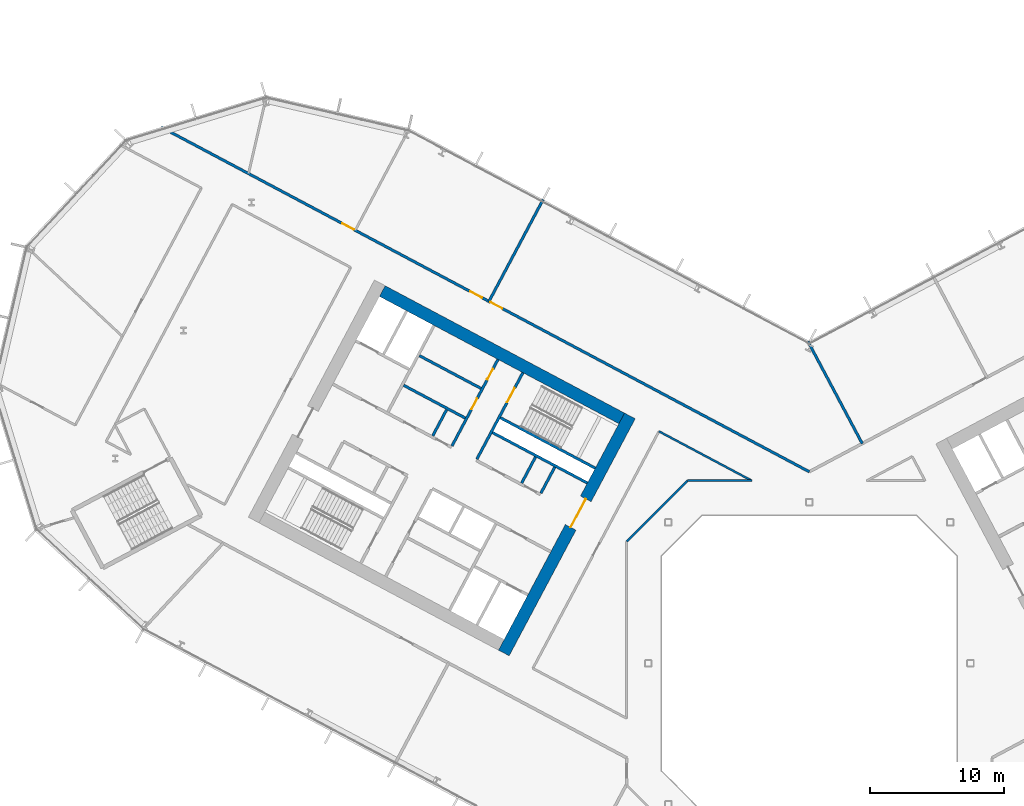
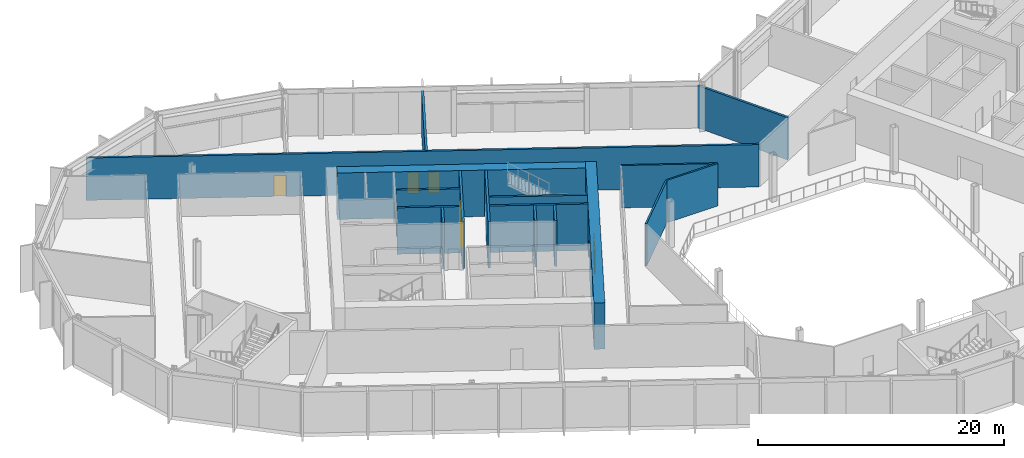
# One storey, part 16 of 31: 17 walls, 7 doors, 7 openings.
"""IFC4 building model written with IfcOpenShell, lengths in metres."""

from ifc_helpers import new_model, si_unit, direction, frame, frame_2d, origin, place, context, subcontext, project, spatial, rectangle, extrude, material, layer, layer_set, type_object, element, fill, save


model = new_model("IFC4")

# Units and contexts
model_context = context("Model", 3, precision=1e-05, world=origin(), true_north=direction((0.0, 1.0)))
body_context = subcontext(model_context, "Body", "Model", "MODEL_VIEW")
ifc_project = project(units=[si_unit("LENGTHUNIT", "METRE"), si_unit("AREAUNIT", "SQUARE_METRE"), si_unit("VOLUMEUNIT", "CUBIC_METRE"), si_unit("PLANEANGLEUNIT", "RADIAN"), si_unit("MASSUNIT", "GRAM", prefix="KILO")], contexts=[model_context])

# Site, building, storey
site_placement = place(None, origin())
site = spatial("IfcSite", under=ifc_project, at=site_placement, CompositionType="ELEMENT")
building_placement = place(site_placement, origin())
building = spatial("IfcBuilding", under=site, at=building_placement, Name="Cormorant Relay Tower", CompositionType="ELEMENT")
storey_placement = place(building_placement, frame((0.0, 0.0, 103.0)))
storey = spatial("IfcBuildingStorey", under=building, at=storey_placement, Name="L20", CompositionType="ELEMENT", Elevation=103.0)

# Walls
ifc_material_1 = material(Name="Concrete 40 MPa", Category="concrete")
ifc_layer_1 = layer(ifc_material_1, 0.199951171875)
ifc_layer_set_1 = layer_set([ifc_layer_1], Name="Core internal wall 200")
wall_type_1 = type_object("IfcWallType", Name="Core internal wall 200", PredefinedType="SOLIDWALL", material=ifc_layer_set_1)
for number, where, z_axis, x_axis, name in (
    (1, (-20.39013671875, 15.371826171875, 0.0), (0.0, 0.0, 1.0), (-0.4694473164, -0.882960484464, 0.0), "L20 core A shaft and room wall"),
    (2, (-27.01220703125, 18.892822265625, 0.0), (0.0, 0.0, 1.0), (-0.4694473164, -0.882960484464, 0.0), "L20 core A shaft and room wall"),
):
    element("IfcWall", number, at=place(storey_placement, frame(where, z_axis=z_axis, x_axis=x_axis)), inside=storey, type_object=wall_type_1, Name=name, PredefinedType="SOLIDWALL", context=body_context, shape_type="SweptSolid", body=[
        extrude(rectangle(XDim=2.199951171875, YDim=0.199951171875, at=frame_2d((1.10009765625, 0.0))), origin(), (0.0, 0.0, 1.0), 4.60009765625),
    ])
wall_1_placement = place(storey_placement, frame((-24.449462890625, 20.474853515625, 0.0), z_axis=(0.0, 0.0, 1.0), x_axis=(-0.882934506056, 0.469496174655, 0.0)))
element("IfcWall", 3, at=wall_1_placement, inside=storey, type_object=wall_type_1, Name="L20 core A shaft and room wall", PredefinedType="SOLIDWALL", context=body_context, shape_type="SweptSolid", body=[
    extrude(rectangle(XDim=5.199951171875, YDim=0.199951171875, at=frame_2d((2.60009765625, 0.0))), origin(), (0.0, 0.0, 1.0), 4.60009765625),
])
ifc_material_2 = material(Name="Concrete 50 MPa", Category="concrete")
ifc_layer_2 = layer(ifc_material_2, 0.199951171875)
ifc_layer_set_2 = layer_set([ifc_layer_2], Name="Core shaft wall 200")
wall_type_2 = type_object("IfcWallType", Name="Core shaft wall 200", PredefinedType="SHEAR", material=ifc_layer_set_2)
wall_2_placement = place(storey_placement, frame((-18.959716796875, 14.611328125, 0.0), z_axis=(0.0, 0.0, 1.0), x_axis=(-0.4694473164, -0.882960484464, 0.0)))
element("IfcWall", 4, at=wall_2_placement, inside=storey, type_object=wall_type_2, Name="L20 core A shaft wall", PredefinedType="SHEAR", context=body_context, shape_type="SweptSolid", body=[
    extrude(rectangle(XDim=2.199951171875, YDim=0.199951171875, at=frame_2d((1.10009765625, 0.0))), origin(), (0.0, 0.0, 1.0), 4.60009765625),
])

# Wall, opening, door
wall_3_placement = place(storey_placement, frame((-21.333251953125, 21.6494140625, 0.0), z_axis=(0.0, 0.0, 1.0), x_axis=(-0.469494272526, -0.882935517501, 0.0)))
wall_3 = element("IfcWall", 5, at=wall_3_placement, inside=storey, type_object=wall_type_2, Name="L20 core A shaft wall", PredefinedType="SHEAR", context=body_context, shape_type="SweptSolid", body=[
    extrude(rectangle(XDim=7.2998046875, YDim=0.199951171875, at=frame_2d((3.64990234375, 0.0))), origin(), (0.0, 0.0, 1.0), 4.60009765625),
])
opening_1_placement = place(wall_3_placement, frame((1.300048828125, 0.0, 0.0)))
opening_1 = element("IfcOpeningElement", 6, at=opening_1_placement, cuts=wall_3, Name="Opening CDB-024", PredefinedType="OPENING", context=body_context, shape_type="SweptSolid", body=[
    extrude(rectangle(XDim=1.199951171875, YDim=2.10009765625, at=frame_2d((0.60009765625, 1.050048828125))), frame((0.0, 0.10986328125, 0.0), z_axis=(0.0, -1.0, 0.0), x_axis=(1.0, 0.0, 0.0)), (0.0, 0.0, 1.0), 0.219970703125),
])
ifc_material_3 = material(Name="Steel fire door", Category="steel")
door_type_1 = type_object("IfcDoorType", Name="Core stair door 1200x2100", OperationType="SINGLE_SWING_LEFT", PredefinedType="DOOR", material=ifc_material_3)
door_1_placement = place(opening_1_placement, origin())
door_1 = element("IfcDoor", 7, at=door_1_placement, inside=storey, type_object=door_type_1, Name="Core stair door 1200x2100", OperationType="SINGLE_SWING_RIGHT", OverallHeight=2.10009765625, OverallWidth=1.199951171875, PredefinedType="DOOR", context=body_context, shape_type="SweptSolid", body=[
    extrude(rectangle(XDim=1.199951171875, YDim=2.10009765625, at=frame_2d((0.60009765625, 1.050048828125))), frame((0.0, 0.02490234375, 0.0), z_axis=(0.0, -1.0, 0.0), x_axis=(1.0, 0.0, 0.0)), (0.0, 0.0, 1.0), 0.050048828125),
])
fill(opening_1, door_1)

# Wall, openings, doors
wall_4_placement = place(storey_placement, frame((-23.1875, 22.635498046875, 0.0), z_axis=(0.0, 0.0, 1.0), x_axis=(-0.469454336211, -0.882956752176, 0.0)))
wall_4 = element("IfcWall", 8, at=wall_4_placement, inside=storey, type_object=wall_type_2, Name="L20 core A shaft wall", PredefinedType="SHEAR", context=body_context, shape_type="SweptSolid", body=[
    extrude(rectangle(XDim=7.300048828125, YDim=0.199951171875, at=frame_2d((3.64990234375, 0.0))), origin(), (0.0, 0.0, 1.0), 4.60009765625),
])
opening_2_placement = place(wall_4_placement, frame((0.800048828125, 0.0, 0.0)))
opening_2 = element("IfcOpeningElement", 9, at=opening_2_placement, cuts=wall_4, Name="Opening CDD-117", PredefinedType="OPENING", context=body_context, shape_type="SweptSolid", body=[
    extrude(rectangle(XDim=0.89990234375, YDim=2.10009765625, at=frame_2d((0.449951171875, 1.050048828125))), frame((0.0, 0.10986328125, 0.0), z_axis=(0.0, -1.0, 0.0), x_axis=(1.0, 0.0, 0.0)), (0.0, 0.0, 1.0), 0.219970703125),
])
opening_3_placement = place(wall_4_placement, frame((3.300048828125, 0.0, 0.0)))
opening_3 = element("IfcOpeningElement", 10, at=opening_3_placement, cuts=wall_4, Name="Opening CDD-140", PredefinedType="OPENING", context=body_context, shape_type="SweptSolid", body=[
    extrude(rectangle(XDim=0.89990234375, YDim=2.10009765625, at=frame_2d((0.449951171875, 1.050048828125))), frame((0.0, 0.10986328125, 0.0), z_axis=(0.0, -1.0, 0.0), x_axis=(1.0, 0.0, 0.0)), (0.0, 0.0, 1.0), 0.219970703125),
])
ifc_material_4 = material(Name="Steel fire door", Category="steel")
door_type_2 = type_object("IfcDoorType", Name="Core room door 900x2100", OperationType="SINGLE_SWING_LEFT", PredefinedType="DOOR", material=ifc_material_4)
door_2_placement = place(opening_2_placement, origin())
door_2 = element("IfcDoor", 11, at=door_2_placement, inside=storey, type_object=door_type_2, Name="Core room door 900x2100", OperationType="SINGLE_SWING_LEFT", OverallHeight=2.10009765625, OverallWidth=0.89990234375, PredefinedType="DOOR", context=body_context, shape_type="SweptSolid", body=[
    extrude(rectangle(XDim=0.89990234375, YDim=2.10009765625, at=frame_2d((0.449951171875, 1.050048828125))), frame((0.0, 0.02490234375, 0.0), z_axis=(0.0, -1.0, 0.0), x_axis=(1.0, 0.0, 0.0)), (0.0, 0.0, 1.0), 0.050048828125),
])
fill(opening_2, door_2)
door_3_placement = place(opening_3_placement, frame((0.89990234375, 0.0, 0.0), z_axis=(0.0, 0.0, 1.0), x_axis=(-1.0, 0.0, 0.0)))
door_3 = element("IfcDoor", 12, at=door_3_placement, inside=storey, type_object=door_type_2, Name="Core room door 900x2100", OperationType="SINGLE_SWING_RIGHT", OverallHeight=2.10009765625, OverallWidth=0.89990234375, PredefinedType="DOOR", context=body_context, shape_type="SweptSolid", body=[
    extrude(rectangle(XDim=0.89990234375, YDim=2.10009765625, at=frame_2d((0.449951171875, 1.050048828125))), frame((0.0, 0.02490234375, 0.0), z_axis=(0.0, -1.0, 0.0), x_axis=(1.0, 0.0, 0.0)), (0.0, 0.0, 1.0), 0.050048828125),
])
fill(opening_3, door_3)

# Walls
wall_5_placement = place(storey_placement, frame((-15.94189453125, 14.53564453125, 0.0), z_axis=(0.0, 0.0, 1.0), x_axis=(-0.882946947542, 0.469472776449, 0.0)))
element("IfcWall", 13, at=wall_5_placement, inside=storey, type_object=wall_type_2, Name="L20 core A shaft wall", PredefinedType="SHEAR", context=body_context, shape_type="SweptSolid", body=[
    extrude(rectangle(XDim=8.000244140625, YDim=0.199951171875, at=frame_2d((4.0, 0.0))), origin(), (0.0, 0.0, 1.0), 4.60009765625),
])
wall_6_placement = place(storey_placement, frame((-16.52880859375, 13.43212890625, 0.0), z_axis=(0.0, 0.0, 1.0), x_axis=(-0.88295287151, 0.469461634952, 0.0)))
element("IfcWall", 14, at=wall_6_placement, inside=storey, type_object=wall_type_2, Name="L20 core A shaft wall", PredefinedType="SHEAR", context=body_context, shape_type="SweptSolid", body=[
    extrude(rectangle(XDim=7.999755859375, YDim=0.199951171875, at=frame_2d((4.0, 0.0))), origin(), (0.0, 0.0, 1.0), 4.60009765625),
])
wall_7_placement = place(storey_placement, frame((-25.623046875, 18.267578125, 0.0), z_axis=(0.0, 0.0, 1.0), x_axis=(-0.882953967957, 0.469459572775, 0.0)))
element("IfcWall", 15, at=wall_7_placement, inside=storey, type_object=wall_type_2, Name="L20 core A shaft wall", PredefinedType="SHEAR", context=body_context, shape_type="SweptSolid", body=[
    extrude(rectangle(XDim=5.199951171875, YDim=0.199951171875, at=frame_2d((2.60009765625, 0.0))), origin(), (0.0, 0.0, 1.0), 4.60009765625),
])

# Wall, opening, door
ifc_material_5 = material(Name="Concrete 70 MPa", Category="concrete")
ifc_layer_3 = layer(ifc_material_5, 0.89990234375)
ifc_layer_set_3 = layer_set([ifc_layer_3], Name="Core wall 900")
wall_type_3 = type_object("IfcWallType", Name="Core wall 900", PredefinedType="SHEAR", material=ifc_layer_set_3)
wall_8_placement = place(storey_placement, frame((-13.361572265625, 18.43017578125, 0.0), z_axis=(0.0, 0.0, 1.0), x_axis=(-0.46947084998, -0.882947971864, 0.0)))
wall_8 = element("IfcWall", 16, at=wall_8_placement, inside=storey, type_object=wall_type_3, Name="L20 core A wall", PredefinedType="SHEAR", context=body_context, shape_type="SweptSolid", body=[
    extrude(rectangle(XDim=20.0, YDim=0.89990234375, at=frame_2d((10.0, 0.0))), origin(), (0.0, 0.0, 1.0), 4.60009765625),
])
opening_4_placement = place(wall_8_placement, frame((7.0, 0.0, 0.0)))
opening_4 = element("IfcOpeningElement", 17, at=opening_4_placement, cuts=wall_8, Name="Opening CDA-017", PredefinedType="OPENING", context=body_context, shape_type="SweptSolid", body=[
    extrude(rectangle(XDim=2.39990234375, YDim=2.39990234375, at=frame_2d((1.199951171875, 1.199951171875))), frame((0.0, 0.4599609375, 0.0), z_axis=(0.0, -1.0, 0.0), x_axis=(1.0, 0.0, 0.0)), (0.0, 0.0, 1.0), 0.919921875),
])
ifc_material_6 = material(Name="Steel fire door", Category="steel")
door_type_3 = type_object("IfcDoorType", Name="Core lobby door 2400x2400", OperationType="DOUBLE_DOOR_SINGLE_SWING", PredefinedType="DOOR", material=ifc_material_6)
door_4_placement = place(opening_4_placement, frame((2.39990234375, 0.0, 0.0), z_axis=(0.0, 0.0, 1.0), x_axis=(-1.0, 0.0, 0.0)))
door_4 = element("IfcDoor", 18, at=door_4_placement, inside=storey, type_object=door_type_3, Name="Core lobby door 2400x2400", OperationType="DOUBLE_DOOR_SINGLE_SWING", OverallHeight=2.39990234375, OverallWidth=2.39990234375, PredefinedType="DOOR", context=body_context, shape_type="SweptSolid", body=[
    extrude(rectangle(XDim=2.39990234375, YDim=2.39990234375, at=frame_2d((1.199951171875, 1.199951171875))), frame((0.0, 0.02490234375, 0.0), z_axis=(0.0, -1.0, 0.0), x_axis=(1.0, 0.0, 0.0)), (0.0, 0.0, 1.0), 0.050048828125),
])
fill(opening_4, door_4)

# Wall
wall_9_placement = place(storey_placement, frame((-13.97021484375, 18.244140625, 0.0), z_axis=(0.0, 0.0, 1.0), x_axis=(-0.88294509198, 0.469476266226, 0.0)))
element("IfcWall", 19, at=wall_9_placement, inside=storey, type_object=wall_type_3, Name="L20 core A wall", PredefinedType="SHEAR", context=body_context, shape_type="SweptSolid", body=[
    extrude(rectangle(XDim=20.199951171875, YDim=0.89990234375, at=frame_2d((10.10009765625, 0.0))), origin(), (0.0, 0.0, 1.0), 4.60009765625),
])

# Wall, openings, doors
ifc_material_7 = material(Name="Fire-rated gypsum board partition")
ifc_layer_4 = layer(ifc_material_7, 0.199951171875)
ifc_layer_set_4 = layer_set([ifc_layer_4], Name="Fire-rated gypsum partition 200")
wall_type_4 = type_object("IfcWallType", Name="Fire-rated gypsum partition 200", PredefinedType="PARTITIONING", material=ifc_layer_set_4)
wall_10_placement = place(storey_placement, frame((-48.27099609375, 39.93603515625, 0.0), z_axis=(0.0, 0.0, 1.0), x_axis=(0.88294856545, -0.469469733604, 0.0)))
wall_10 = element("IfcWall", 20, at=wall_10_placement, inside=storey, type_object=wall_type_4, Name="wall/L20/part/14", PredefinedType="PARTITIONING", context=body_context, shape_type="SweptSolid", body=[
    extrude(rectangle(XDim=54.670166015625, YDim=0.199951171875, at=frame_2d((27.3349609375, 0.0))), origin(), (0.0, 0.0, 1.0), 4.199951171875),
])
opening_5_placement = place(wall_10_placement, frame((27.76611328125, 0.0, 0.0)))
opening_5 = element("IfcOpeningElement", 21, at=opening_5_placement, cuts=wall_10, Name="Opening FD1-114", PredefinedType="OPENING", context=body_context, shape_type="SweptSolid", body=[
    extrude(rectangle(XDim=1.0, YDim=2.10009765625, at=frame_2d((0.5, 1.050048828125))), frame((0.0, 0.10986328125, 0.0), z_axis=(0.0, -1.0, 0.0), x_axis=(1.0, 0.0, 0.0)), (0.0, 0.0, 1.0), 0.219970703125),
])
opening_6_placement = place(wall_10_placement, frame((26.06591796875, 0.0, 0.0)))
opening_6 = element("IfcOpeningElement", 22, at=opening_6_placement, cuts=wall_10, Name="Opening FD1-101", PredefinedType="OPENING", context=body_context, shape_type="SweptSolid", body=[
    extrude(rectangle(XDim=1.0, YDim=2.10009765625, at=frame_2d((0.5, 1.050048828125))), frame((0.0, 0.10986328125, 0.0), z_axis=(0.0, -1.0, 0.0), x_axis=(1.0, 0.0, 0.0)), (0.0, 0.0, 1.0), 0.219970703125),
])
opening_7_placement = place(wall_10_placement, frame((15.264892578125, 0.0, 0.0)))
opening_7 = element("IfcOpeningElement", 23, at=opening_7_placement, cuts=wall_10, Name="Opening FD1-102", PredefinedType="OPENING", context=body_context, shape_type="SweptSolid", body=[
    extrude(rectangle(XDim=1.0, YDim=2.10009765625, at=frame_2d((0.5, 1.050048828125))), frame((0.0, 0.10986328125, 0.0), z_axis=(0.0, -1.0, 0.0), x_axis=(1.0, 0.0, 0.0)), (0.0, 0.0, 1.0), 0.219970703125),
])
ifc_material_8 = material(Name="Fire-rated steel door", Category="steel")
door_type_4 = type_object("IfcDoorType", Name="Fire door 1000 x 2100", OperationType="SINGLE_SWING_LEFT", PredefinedType="DOOR", material=ifc_material_8)
door_5_placement = place(opening_5_placement, origin())
door_5 = element("IfcDoor", 24, at=door_5_placement, inside=storey, type_object=door_type_4, Name="door/L20/9", OperationType="SINGLE_SWING_LEFT", OverallHeight=2.10009765625, OverallWidth=1.0, PredefinedType="DOOR", context=body_context, shape_type="SweptSolid", body=[
    extrude(rectangle(XDim=1.0, YDim=2.10009765625, at=frame_2d((0.5, 1.050048828125))), frame((0.0, 0.02490234375, 0.0), z_axis=(0.0, -1.0, 0.0), x_axis=(1.0, 0.0, 0.0)), (0.0, 0.0, 1.0), 0.050048828125),
])
fill(opening_5, door_5)
door_6_placement = place(opening_6_placement, origin())
door_6 = element("IfcDoor", 25, at=door_6_placement, inside=storey, type_object=door_type_4, Name="door/L20/10", OperationType="SINGLE_SWING_RIGHT", OverallHeight=2.10009765625, OverallWidth=1.0, PredefinedType="DOOR", context=body_context, shape_type="SweptSolid", body=[
    extrude(rectangle(XDim=1.0, YDim=2.10009765625, at=frame_2d((0.5, 1.050048828125))), frame((0.0, 0.02490234375, 0.0), z_axis=(0.0, -1.0, 0.0), x_axis=(1.0, 0.0, 0.0)), (0.0, 0.0, 1.0), 0.050048828125),
])
fill(opening_6, door_6)
door_7_placement = place(opening_7_placement, origin())
door_7 = element("IfcDoor", 26, at=door_7_placement, inside=storey, type_object=door_type_4, Name="door/L20/11", OperationType="SINGLE_SWING_RIGHT", OverallHeight=2.10009765625, OverallWidth=1.0, PredefinedType="DOOR", context=body_context, shape_type="SweptSolid", body=[
    extrude(rectangle(XDim=1.0, YDim=2.10009765625, at=frame_2d((0.5, 1.050048828125))), frame((0.0, 0.02490234375, 0.0), z_axis=(0.0, -1.0, 0.0), x_axis=(1.0, 0.0, 0.0)), (0.0, 0.0, 1.0), 0.050048828125),
])
fill(opening_7, door_7)

# Walls
wall_11_placement = place(storey_placement, frame((-19.822021484375, 34.550048828125, 0.0), z_axis=(0.0, 0.0, 1.0), x_axis=(-0.469434046176, -0.882967539772, 0.0)))
element("IfcWall", 27, at=wall_11_placement, inside=storey, type_object=wall_type_4, Name="wall/L20/part/21", PredefinedType="PARTITIONING", context=body_context, shape_type="SweptSolid", body=[
    extrude(rectangle(XDim=8.599365234375, YDim=0.199951171875, at=frame_2d((4.2998046875, 0.0))), origin(), (0.0, 0.0, 1.0), 4.199951171875),
])
wall_12_placement = place(storey_placement, frame((-0.10498046875, 23.98388671875, 0.0), z_axis=(0.0, 0.0, 1.0), x_axis=(0.46938766067, -0.882992199292, 0.0)))
element("IfcWall", 28, at=wall_12_placement, inside=storey, type_object=wall_type_4, Name="wall/L20/part/22", PredefinedType="PARTITIONING", context=body_context, shape_type="SweptSolid", body=[
    extrude(rectangle(XDim=8.626220703125, YDim=0.199951171875, at=frame_2d((4.31298828125, 0.0))), origin(), (0.0, 0.0, 1.0), 4.199951171875),
])
ifc_material_9 = material(Name="Gypsum board partition")
ifc_layer_5 = layer(ifc_material_9, 0.14990234375)
ifc_layer_set_5 = layer_set([ifc_layer_5], Name="Gypsum board partition 150")
wall_type_5 = type_object("IfcWallType", Name="Gypsum board partition 150", PredefinedType="PARTITIONING", material=ifc_layer_set_5)
wall_13_placement = place(storey_placement, frame((-11.197998046875, 17.280029296875, 0.0), z_axis=(0.0, 0.0, 1.0), x_axis=(0.882946288452, -0.46947401601, 0.0)))
element("IfcWall", 29, at=wall_13_placement, inside=storey, type_object=wall_type_5, Name="wall/L20/part/57", PredefinedType="PARTITIONING", context=body_context, shape_type="SweptSolid", body=[
    extrude(rectangle(XDim=7.83837890625, YDim=0.14990234375, at=frame_2d((3.919189453125, 0.0))), origin(), (0.0, 0.0, 1.0), 4.199951171875),
])
wall_14_placement = place(storey_placement, frame((-4.277099609375, 13.60009765625, 0.0), z_axis=(0.0, 0.0, 1.0), x_axis=(-1.0, 0.0, 0.0)))
element("IfcWall", 30, at=wall_14_placement, inside=storey, type_object=wall_type_5, Name="wall/L20/part/58", PredefinedType="PARTITIONING", context=body_context, shape_type="SweptSolid", body=[
    extrude(rectangle(XDim=4.7998046875, YDim=0.14990234375, at=frame_2d((2.39990234375, 0.0))), origin(), (0.0, 0.0, 1.0), 4.199951171875),
])
wall_15_placement = place(storey_placement, frame((-9.076904296875, 13.60009765625, 0.0), z_axis=(0.0, 0.0, 1.0), x_axis=(-0.707106781187, -0.707106781187, 0.0)))
element("IfcWall", 31, at=wall_15_placement, inside=storey, type_object=wall_type_5, Name="wall/L20/part/59", PredefinedType="PARTITIONING", context=body_context, shape_type="SweptSolid", body=[
    extrude(rectangle(XDim=6.396728515625, YDim=0.14990234375, at=frame_2d((3.1982421875, 0.0))), origin(), (0.0, 0.0, 1.0), 4.199951171875),
])

save(model, "model.ifc")
